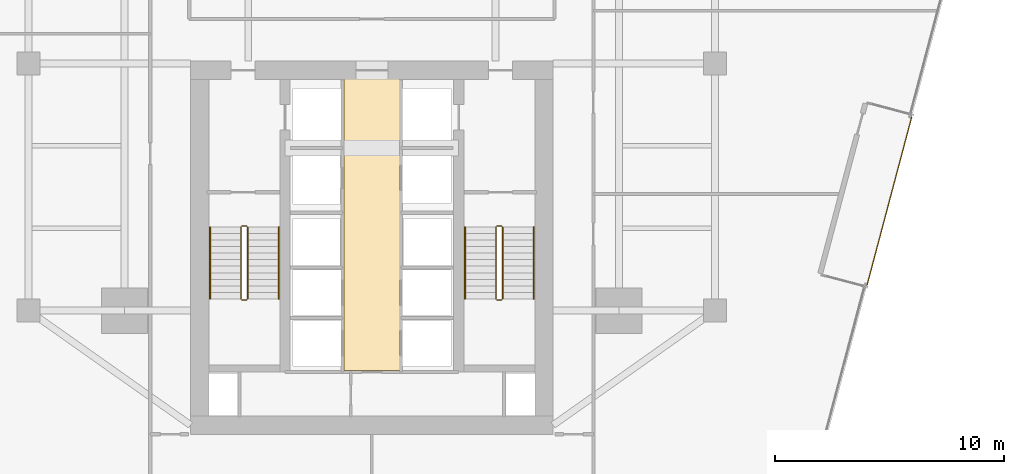
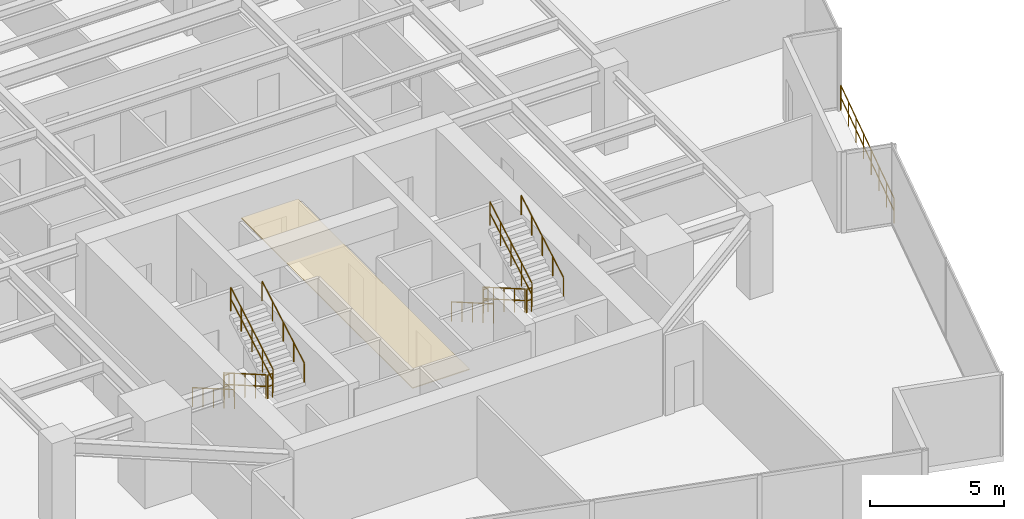
# One storey, part 26 of 27: 13 railings, 1 covering.
"""IFC4 building model written with IfcOpenShell, lengths in metres."""

from ifc_helpers import new_model, si_unit, direction, frame, origin, origin_2d, place, context, subcontext, project, spatial, polyline, circle, outline, extrude, material, layer, layer_set, type_object, element, save


model = new_model("IFC4")

# Units and contexts
model_context = context("Model", 3, precision=1e-05, world=origin(), true_north=direction((0.0, 1.0)))
body_context = subcontext(model_context, "Body", "Model", "MODEL_VIEW")
ifc_project = project(units=[si_unit("LENGTHUNIT", "METRE"), si_unit("AREAUNIT", "SQUARE_METRE"), si_unit("VOLUMEUNIT", "CUBIC_METRE"), si_unit("PLANEANGLEUNIT", "RADIAN"), si_unit("MASSUNIT", "GRAM", prefix="KILO")], contexts=[model_context])

# Site, building, storey
site_placement = place(None, origin())
site = spatial("IfcSite", under=ifc_project, at=site_placement, CompositionType="ELEMENT")
building_placement = place(site_placement, origin())
building = spatial("IfcBuilding", under=site, at=building_placement, Name="Krantzveldt Concourse Tower", CompositionType="ELEMENT")
storey_placement = place(building_placement, frame((0.0, 0.0, 101.89990234375)))
storey = spatial("IfcBuildingStorey", under=building, at=storey_placement, Name="L24", CompositionType="ELEMENT", Elevation=101.89990234375)

# Covering
ifc_material_1 = material(Name="Perforated acoustic mineral-fibre ceiling tile", Category="ceiling")
ifc_layer_1 = layer(ifc_material_1, 0.0400390625, Name="Perforated acoustic mineral-fibre ceiling tile", Category="ceiling")
ifc_layer_set_1 = layer_set([ifc_layer_1], Name="Perforated acoustic mineral-fibre ceiling tile (COV-CEIL-ACOUSTIC)")
covering_type = type_object("IfcCoveringType", Name="COV-CEIL-ACOUSTIC", PredefinedType="CEILING", material=ifc_layer_set_1)
covering_placement = place(storey_placement, frame((0.0, 0.0, 2.75)))
element("IfcCovering", 1, at=covering_placement, inside=storey, type_object=covering_type, Name="CLG-L24-LLB", PredefinedType="CEILING", context=body_context, shape_type="SweptSolid", body=[
    extrude(outline(polyline([(37.22509765625, 13.27490234375), (34.77490234375, 13.27490234375), (34.77490234375, 26.044921875), (37.22509765625, 26.044921875), (37.22509765625, 13.27490234375)])), origin(), (0.0, 0.0, 1.0), 0.0400390625),
])

# Railings
ifc_material_2 = material(Name="Stainless steel 316L", Category="steel")
ifc_layer_2 = layer(ifc_material_2, 0.080078125, Name="Stainless steel 316L", Category="steel")
ifc_layer_set_2 = layer_set([ifc_layer_2], Name="Stainless steel 316L (RL-BALUSTRADE-1150)")
railing_type_1 = type_object("IfcRailingType", Name="RL-BALUSTRADE-1150", PredefinedType="BALUSTRADE", material=ifc_layer_set_2)
railing_1_placement = place(storey_placement, frame((57.640380859375, 17.020263671875, 0.0)))
element("IfcRailing", 2, at=railing_1_placement, inside=storey, type_object=railing_type_1, Name="GD-L24-CTER-01", PredefinedType="BALUSTRADE", context=body_context, shape_type="SweptSolid", body=[
    extrude(circle(Radius=0.02392578125, at=origin_2d()), frame((0.0, 0.0, 1.1259765625), z_axis=(0.256696825247, 0.966491976122, 0.0), x_axis=(-0.966491976122, 0.256696825247, 0.0)), (0.0, 0.0, 1.0), 7.60009765625),
    extrude(circle(Radius=0.02392578125, at=origin_2d()), frame((0.0, 0.0, 0.574951171875), z_axis=(0.256696825247, 0.966491976122, 0.0), x_axis=(-0.966491976122, 0.256696825247, 0.0)), (0.0, 0.0, 1.0), 7.60009765625),
    extrude(circle(Radius=0.02099609375, at=origin_2d()), origin(), (0.0, 0.0, 1.0), 1.101806640625),
    extrude(circle(Radius=0.02099609375, at=origin_2d()), frame((0.27880859375, 1.04931640625, 0.0)), (0.0, 0.0, 1.0), 1.101806640625),
    extrude(circle(Radius=0.02099609375, at=origin_2d()), frame((0.557373046875, 2.0986328125, 0.0)), (0.0, 0.0, 1.0), 1.101806640625),
    extrude(circle(Radius=0.02099609375, at=origin_2d()), frame((0.836181640625, 3.14794921875, 0.0)), (0.0, 0.0, 1.0), 1.101806640625),
    extrude(circle(Radius=0.02099609375, at=origin_2d()), frame((1.11474609375, 4.197509765625, 0.0)), (0.0, 0.0, 1.0), 1.101806640625),
    extrude(circle(Radius=0.02099609375, at=origin_2d()), frame((1.3935546875, 5.246826171875, 0.0)), (0.0, 0.0, 1.0), 1.101806640625),
    extrude(circle(Radius=0.02099609375, at=origin_2d()), frame((1.672119140625, 6.296142578125, 0.0)), (0.0, 0.0, 1.0), 1.101806640625),
    extrude(circle(Radius=0.02099609375, at=origin_2d()), frame((1.950927734375, 7.345458984375, 0.0)), (0.0, 0.0, 1.0), 1.101806640625),
])
ifc_layer_3 = layer(ifc_material_2, 0.06005859375, Name="Stainless steel 316L", Category="steel")
ifc_layer_set_3 = layer_set([ifc_layer_3], Name="Stainless steel 316L (RL-GUARD-1120)")
railing_type_2 = type_object("IfcRailingType", Name="RL-GUARD-1120", PredefinedType="GUARDRAIL", material=ifc_layer_set_3)
railing_2_placement = place(storey_placement, frame((30.280029296875, 19.550048828125, 0.164794921875)))
element("IfcRailing", 3, at=railing_2_placement, inside=storey, type_object=railing_type_2, Name="L24 ST-1 stair guard 1", PredefinedType="GUARDRAIL", context=body_context, shape_type="SweptSolid", body=[
    extrude(circle(Radius=0.02392578125, at=origin_2d()), frame((0.0, 0.0, 1.076171875), z_axis=(0.0, -0.865989039225, 0.500062979975), x_axis=(1.0, 0.0, 0.0)), (0.0, 0.0, 1.0), 3.6201171875),
    extrude(circle(Radius=0.02392578125, at=origin_2d()), frame((0.0, 0.0, 0.550048828125), z_axis=(0.0, -0.865989039225, 0.500062979975), x_axis=(1.0, 0.0, 0.0)), (0.0, 0.0, 1.0), 3.6201171875),
    extrude(circle(Radius=0.02099609375, at=origin_2d()), origin(), (0.0, 0.0, 1.0), 1.052001953125),
    extrude(circle(Radius=0.02099609375, at=origin_2d()), frame((0.0, -0.78369140625, 0.45263671875)), (0.0, 0.0, 1.0), 1.052001953125),
    extrude(circle(Radius=0.02099609375, at=origin_2d()), frame((0.0, -1.5673828125, 0.9052734375)), (0.0, 0.0, 1.0), 1.052001953125),
    extrude(circle(Radius=0.02099609375, at=origin_2d()), frame((0.0, -2.351318359375, 1.357666015625)), (0.0, 0.0, 1.0), 1.052001953125),
    extrude(circle(Radius=0.02099609375, at=origin_2d()), frame((0.0, -3.135009765625, 1.810302734375)), (0.0, 0.0, 1.0), 1.052001953125),
])
railing_3_placement = place(storey_placement, frame((30.330078125, 16.364990234375, 1.97509765625)))
element("IfcRailing", 4, at=railing_3_placement, inside=storey, type_object=railing_type_2, Name="L24 ST-1 stair guard 2", PredefinedType="GUARDRAIL", context=body_context, shape_type="SweptSolid", body=[
    extrude(circle(Radius=0.02392578125, at=origin_2d()), frame((0.0, 0.0, 1.076171875), z_axis=(1.0, 0.0, 0.0), x_axis=(0.0, 1.0, 0.0)), (0.0, 0.0, 1.0), 0.199951171875),
    extrude(circle(Radius=0.02392578125, at=origin_2d()), frame((0.0, 0.0, 0.550048828125), z_axis=(1.0, 0.0, 0.0), x_axis=(0.0, 1.0, 0.0)), (0.0, 0.0, 1.0), 0.199951171875),
    extrude(circle(Radius=0.02099609375, at=origin_2d()), origin(), (0.0, 0.0, 1.0), 1.052001953125),
    extrude(circle(Radius=0.02099609375, at=origin_2d()), frame((0.199951171875, 0.0, 0.0)), (0.0, 0.0, 1.0), 1.052001953125),
])
railing_4_placement = place(storey_placement, frame((30.580078125, 16.4150390625, 2.1396484375)))
element("IfcRailing", 5, at=railing_4_placement, inside=storey, type_object=railing_type_2, Name="L24 ST-1 stair guard 3", PredefinedType="GUARDRAIL", context=body_context, shape_type="SweptSolid", body=[
    extrude(circle(Radius=0.02392578125, at=origin_2d()), frame((0.0, 0.0, 1.076171875), z_axis=(0.0, 0.865959834175, 0.500113552702), x_axis=(-1.0, 0.0, 0.0)), (0.0, 0.0, 1.0), 3.620361328125),
    extrude(circle(Radius=0.02392578125, at=origin_2d()), frame((0.0, 0.0, 0.550048828125), z_axis=(0.0, 0.865959834175, 0.500113552702), x_axis=(-1.0, 0.0, 0.0)), (0.0, 0.0, 1.0), 3.620361328125),
    extrude(circle(Radius=0.02099609375, at=origin_2d()), origin(), (0.0, 0.0, 1.0), 1.052001953125),
    extrude(circle(Radius=0.02099609375, at=origin_2d()), frame((0.0, 0.78369140625, 0.45263671875)), (0.0, 0.0, 1.0), 1.052001953125),
    extrude(circle(Radius=0.02099609375, at=origin_2d()), frame((0.0, 1.5673828125, 0.9052734375)), (0.0, 0.0, 1.0), 1.052001953125),
    extrude(circle(Radius=0.02099609375, at=origin_2d()), frame((0.0, 2.351318359375, 1.35791015625)), (0.0, 0.0, 1.0), 1.052001953125),
    extrude(circle(Radius=0.02099609375, at=origin_2d()), frame((0.0, 3.135009765625, 1.810546875)), (0.0, 0.0, 1.0), 1.052001953125),
])
railing_5_placement = place(storey_placement, frame((30.330078125, 19.60009765625, 0.0)))
element("IfcRailing", 6, at=railing_5_placement, inside=storey, type_object=railing_type_2, Name="L24 ST-1 stair guard 4", PredefinedType="GUARDRAIL", context=body_context, shape_type="SweptSolid", body=[
    extrude(circle(Radius=0.02392578125, at=origin_2d()), frame((0.0, 0.0, 1.076171875), z_axis=(1.0, 0.0, 0.0), x_axis=(0.0, 1.0, 0.0)), (0.0, 0.0, 1.0), 0.199951171875),
    extrude(circle(Radius=0.02392578125, at=origin_2d()), frame((0.0, 0.0, 0.550048828125), z_axis=(1.0, 0.0, 0.0), x_axis=(0.0, 1.0, 0.0)), (0.0, 0.0, 1.0), 0.199951171875),
    extrude(circle(Radius=0.02099609375, at=origin_2d()), origin(), (0.0, 0.0, 1.0), 1.052001953125),
    extrude(circle(Radius=0.02099609375, at=origin_2d()), frame((0.199951171875, 0.0, 0.0)), (0.0, 0.0, 1.0), 1.052001953125),
])
railing_6_placement = place(storey_placement, frame((41.419921875, 19.550048828125, 0.164794921875)))
element("IfcRailing", 7, at=railing_6_placement, inside=storey, type_object=railing_type_2, Name="L24 ST-2 stair guard 1", PredefinedType="GUARDRAIL", context=body_context, shape_type="SweptSolid", body=[
    extrude(circle(Radius=0.02392578125, at=origin_2d()), frame((0.0, 0.0, 1.076171875), z_axis=(0.0, -0.865989039225, 0.500062979975), x_axis=(1.0, 0.0, 0.0)), (0.0, 0.0, 1.0), 3.6201171875),
    extrude(circle(Radius=0.02392578125, at=origin_2d()), frame((0.0, 0.0, 0.550048828125), z_axis=(0.0, -0.865989039225, 0.500062979975), x_axis=(1.0, 0.0, 0.0)), (0.0, 0.0, 1.0), 3.6201171875),
    extrude(circle(Radius=0.02099609375, at=origin_2d()), origin(), (0.0, 0.0, 1.0), 1.052001953125),
    extrude(circle(Radius=0.02099609375, at=origin_2d()), frame((0.0, -0.78369140625, 0.45263671875)), (0.0, 0.0, 1.0), 1.052001953125),
    extrude(circle(Radius=0.02099609375, at=origin_2d()), frame((0.0, -1.5673828125, 0.9052734375)), (0.0, 0.0, 1.0), 1.052001953125),
    extrude(circle(Radius=0.02099609375, at=origin_2d()), frame((0.0, -2.351318359375, 1.357666015625)), (0.0, 0.0, 1.0), 1.052001953125),
    extrude(circle(Radius=0.02099609375, at=origin_2d()), frame((0.0, -3.135009765625, 1.810302734375)), (0.0, 0.0, 1.0), 1.052001953125),
])
railing_7_placement = place(storey_placement, frame((41.469970703125, 16.364990234375, 1.97509765625)))
element("IfcRailing", 8, at=railing_7_placement, inside=storey, type_object=railing_type_2, Name="L24 ST-2 stair guard 2", PredefinedType="GUARDRAIL", context=body_context, shape_type="SweptSolid", body=[
    extrude(circle(Radius=0.02392578125, at=origin_2d()), frame((0.0, 0.0, 1.076171875), z_axis=(1.0, 0.0, 0.0), x_axis=(0.0, 1.0, 0.0)), (0.0, 0.0, 1.0), 0.199951171875),
    extrude(circle(Radius=0.02392578125, at=origin_2d()), frame((0.0, 0.0, 0.550048828125), z_axis=(1.0, 0.0, 0.0), x_axis=(0.0, 1.0, 0.0)), (0.0, 0.0, 1.0), 0.199951171875),
    extrude(circle(Radius=0.02099609375, at=origin_2d()), origin(), (0.0, 0.0, 1.0), 1.052001953125),
    extrude(circle(Radius=0.02099609375, at=origin_2d()), frame((0.199951171875, 0.0, 0.0)), (0.0, 0.0, 1.0), 1.052001953125),
])
railing_8_placement = place(storey_placement, frame((41.719970703125, 16.4150390625, 2.1396484375)))
element("IfcRailing", 9, at=railing_8_placement, inside=storey, type_object=railing_type_2, Name="L24 ST-2 stair guard 3", PredefinedType="GUARDRAIL", context=body_context, shape_type="SweptSolid", body=[
    extrude(circle(Radius=0.02392578125, at=origin_2d()), frame((0.0, 0.0, 1.076171875), z_axis=(0.0, 0.865959834175, 0.500113552702), x_axis=(-1.0, 0.0, 0.0)), (0.0, 0.0, 1.0), 3.620361328125),
    extrude(circle(Radius=0.02392578125, at=origin_2d()), frame((0.0, 0.0, 0.550048828125), z_axis=(0.0, 0.865959834175, 0.500113552702), x_axis=(-1.0, 0.0, 0.0)), (0.0, 0.0, 1.0), 3.620361328125),
    extrude(circle(Radius=0.02099609375, at=origin_2d()), origin(), (0.0, 0.0, 1.0), 1.052001953125),
    extrude(circle(Radius=0.02099609375, at=origin_2d()), frame((0.0, 0.78369140625, 0.45263671875)), (0.0, 0.0, 1.0), 1.052001953125),
    extrude(circle(Radius=0.02099609375, at=origin_2d()), frame((0.0, 1.5673828125, 0.9052734375)), (0.0, 0.0, 1.0), 1.052001953125),
    extrude(circle(Radius=0.02099609375, at=origin_2d()), frame((0.0, 2.351318359375, 1.35791015625)), (0.0, 0.0, 1.0), 1.052001953125),
    extrude(circle(Radius=0.02099609375, at=origin_2d()), frame((0.0, 3.135009765625, 1.810546875)), (0.0, 0.0, 1.0), 1.052001953125),
])
railing_9_placement = place(storey_placement, frame((41.469970703125, 19.60009765625, 0.0)))
element("IfcRailing", 10, at=railing_9_placement, inside=storey, type_object=railing_type_2, Name="L24 ST-2 stair guard 4", PredefinedType="GUARDRAIL", context=body_context, shape_type="SweptSolid", body=[
    extrude(circle(Radius=0.02392578125, at=origin_2d()), frame((0.0, 0.0, 1.076171875), z_axis=(1.0, 0.0, 0.0), x_axis=(0.0, 1.0, 0.0)), (0.0, 0.0, 1.0), 0.199951171875),
    extrude(circle(Radius=0.02392578125, at=origin_2d()), frame((0.0, 0.0, 0.550048828125), z_axis=(1.0, 0.0, 0.0), x_axis=(0.0, 1.0, 0.0)), (0.0, 0.0, 1.0), 0.199951171875),
    extrude(circle(Radius=0.02099609375, at=origin_2d()), origin(), (0.0, 0.0, 1.0), 1.052001953125),
    extrude(circle(Radius=0.02099609375, at=origin_2d()), frame((0.199951171875, 0.0, 0.0)), (0.0, 0.0, 1.0), 1.052001953125),
])
ifc_layer_4 = layer(ifc_material_2, 0.050048828125, Name="Stainless steel 316L", Category="steel")
ifc_layer_set_4 = layer_set([ifc_layer_4], Name="Stainless steel 316L (RL-HANDRAIL-920)")
railing_type_3 = type_object("IfcRailingType", Name="RL-HANDRAIL-920", PredefinedType="HANDRAIL", material=ifc_layer_set_4)
railing_10_placement = place(storey_placement, frame((28.929931640625, 19.550048828125, 0.164794921875)))
element("IfcRailing", 11, at=railing_10_placement, inside=storey, type_object=railing_type_3, Name="L24 ST-1 stair handrail 1", PredefinedType="HANDRAIL", context=body_context, shape_type="SweptSolid", body=[
    extrude(circle(Radius=0.02392578125, at=origin_2d()), frame((0.0, 0.0, 0.8759765625), z_axis=(0.0, -0.865989039225, 0.500062979975), x_axis=(1.0, 0.0, 0.0)), (0.0, 0.0, 1.0), 3.6201171875),
    extrude(circle(Radius=0.02099609375, at=origin_2d()), origin(), (0.0, 0.0, 1.0), 0.851806640625),
    extrude(circle(Radius=0.02099609375, at=origin_2d()), frame((0.0, -0.78369140625, 0.45263671875)), (0.0, 0.0, 1.0), 0.851806640625),
    extrude(circle(Radius=0.02099609375, at=origin_2d()), frame((0.0, -1.5673828125, 0.9052734375)), (0.0, 0.0, 1.0), 0.851806640625),
    extrude(circle(Radius=0.02099609375, at=origin_2d()), frame((0.0, -2.351318359375, 1.357666015625)), (0.0, 0.0, 1.0), 0.851806640625),
    extrude(circle(Radius=0.02099609375, at=origin_2d()), frame((0.0, -3.135009765625, 1.810302734375)), (0.0, 0.0, 1.0), 0.851806640625),
])
railing_11_placement = place(storey_placement, frame((31.929931640625, 16.4150390625, 2.1396484375)))
element("IfcRailing", 12, at=railing_11_placement, inside=storey, type_object=railing_type_3, Name="L24 ST-1 stair handrail 2", PredefinedType="HANDRAIL", context=body_context, shape_type="SweptSolid", body=[
    extrude(circle(Radius=0.02392578125, at=origin_2d()), frame((0.0, 0.0, 0.8759765625), z_axis=(0.0, 0.865959834175, 0.500113552702), x_axis=(-1.0, 0.0, 0.0)), (0.0, 0.0, 1.0), 3.620361328125),
    extrude(circle(Radius=0.02099609375, at=origin_2d()), origin(), (0.0, 0.0, 1.0), 0.851806640625),
    extrude(circle(Radius=0.02099609375, at=origin_2d()), frame((0.0, 0.78369140625, 0.45263671875)), (0.0, 0.0, 1.0), 0.851806640625),
    extrude(circle(Radius=0.02099609375, at=origin_2d()), frame((0.0, 1.5673828125, 0.9052734375)), (0.0, 0.0, 1.0), 0.851806640625),
    extrude(circle(Radius=0.02099609375, at=origin_2d()), frame((0.0, 2.351318359375, 1.35791015625)), (0.0, 0.0, 1.0), 0.851806640625),
    extrude(circle(Radius=0.02099609375, at=origin_2d()), frame((0.0, 3.135009765625, 1.810546875)), (0.0, 0.0, 1.0), 0.851806640625),
])
railing_12_placement = place(storey_placement, frame((40.070068359375, 19.550048828125, 0.164794921875)))
element("IfcRailing", 13, at=railing_12_placement, inside=storey, type_object=railing_type_3, Name="L24 ST-2 stair handrail 1", PredefinedType="HANDRAIL", context=body_context, shape_type="SweptSolid", body=[
    extrude(circle(Radius=0.02392578125, at=origin_2d()), frame((0.0, 0.0, 0.8759765625), z_axis=(0.0, -0.865989039225, 0.500062979975), x_axis=(1.0, 0.0, 0.0)), (0.0, 0.0, 1.0), 3.6201171875),
    extrude(circle(Radius=0.02099609375, at=origin_2d()), origin(), (0.0, 0.0, 1.0), 0.851806640625),
    extrude(circle(Radius=0.02099609375, at=origin_2d()), frame((0.0, -0.78369140625, 0.45263671875)), (0.0, 0.0, 1.0), 0.851806640625),
    extrude(circle(Radius=0.02099609375, at=origin_2d()), frame((0.0, -1.5673828125, 0.9052734375)), (0.0, 0.0, 1.0), 0.851806640625),
    extrude(circle(Radius=0.02099609375, at=origin_2d()), frame((0.0, -2.351318359375, 1.357666015625)), (0.0, 0.0, 1.0), 0.851806640625),
    extrude(circle(Radius=0.02099609375, at=origin_2d()), frame((0.0, -3.135009765625, 1.810302734375)), (0.0, 0.0, 1.0), 0.851806640625),
])
railing_13_placement = place(storey_placement, frame((43.070068359375, 16.4150390625, 2.1396484375)))
element("IfcRailing", 14, at=railing_13_placement, inside=storey, type_object=railing_type_3, Name="L24 ST-2 stair handrail 2", PredefinedType="HANDRAIL", context=body_context, shape_type="SweptSolid", body=[
    extrude(circle(Radius=0.02392578125, at=origin_2d()), frame((0.0, 0.0, 0.8759765625), z_axis=(0.0, 0.865959834175, 0.500113552702), x_axis=(-1.0, 0.0, 0.0)), (0.0, 0.0, 1.0), 3.620361328125),
    extrude(circle(Radius=0.02099609375, at=origin_2d()), origin(), (0.0, 0.0, 1.0), 0.851806640625),
    extrude(circle(Radius=0.02099609375, at=origin_2d()), frame((0.0, 0.78369140625, 0.45263671875)), (0.0, 0.0, 1.0), 0.851806640625),
    extrude(circle(Radius=0.02099609375, at=origin_2d()), frame((0.0, 1.5673828125, 0.9052734375)), (0.0, 0.0, 1.0), 0.851806640625),
    extrude(circle(Radius=0.02099609375, at=origin_2d()), frame((0.0, 2.351318359375, 1.35791015625)), (0.0, 0.0, 1.0), 0.851806640625),
    extrude(circle(Radius=0.02099609375, at=origin_2d()), frame((0.0, 3.135009765625, 1.810546875)), (0.0, 0.0, 1.0), 0.851806640625),
])

save(model, "model.ifc")
